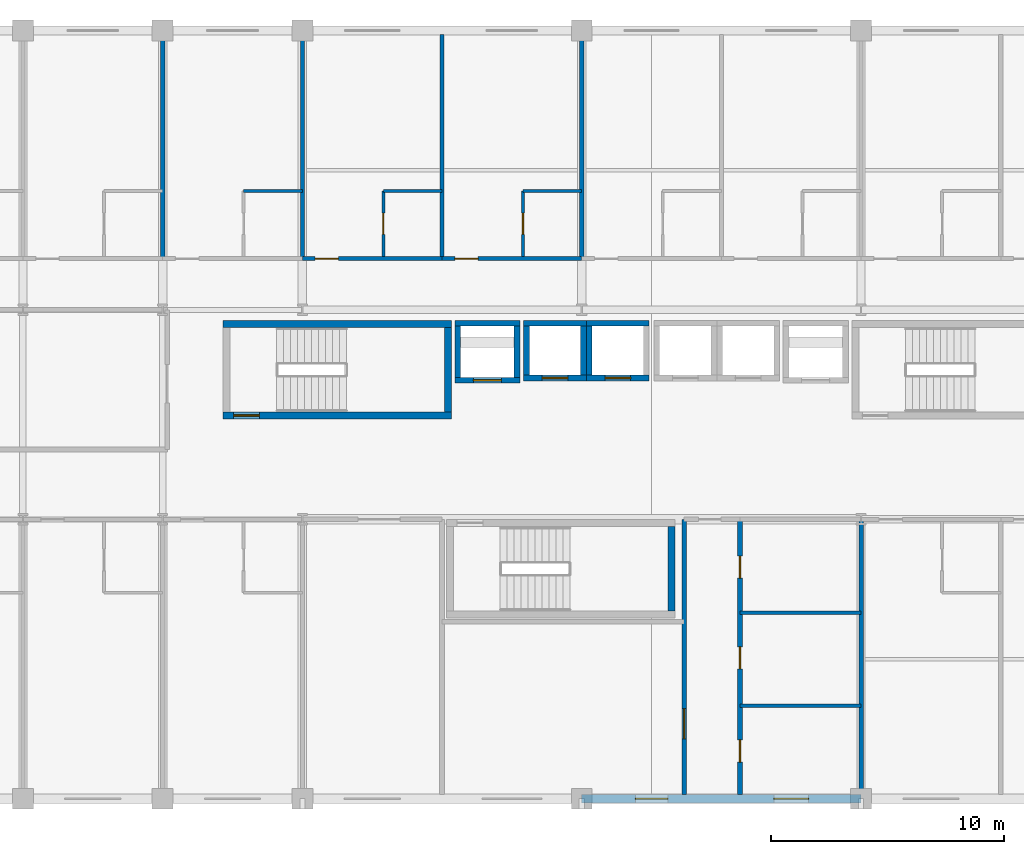
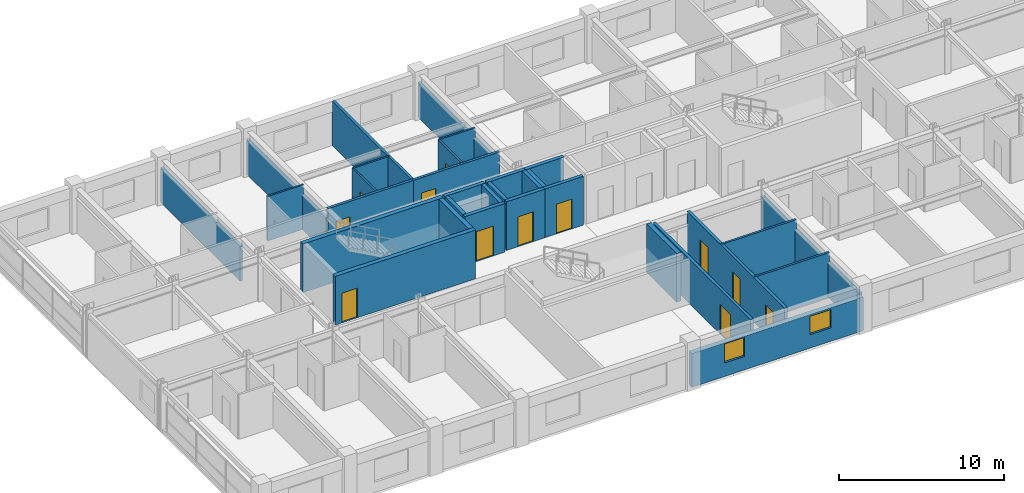
# One storey, part 17 of 22: 32 walls, 12 doors, 2 windows, 14 openings.
"""IFC4 building model written with IfcOpenShell, lengths in metres."""

from ifc_helpers import new_model, si_unit, direction, frame, frame_2d, origin, place, context, subcontext, project, spatial, rectangle, extrude, material, layer, layer_set, type_object, element, fill, save


model = new_model("IFC4")

# Units and contexts
model_context = context("Model", 3, precision=1e-05, world=origin(), true_north=direction((0.0, 1.0)))
body_context = subcontext(model_context, "Body", "Model", "MODEL_VIEW")
ifc_project = project(units=[si_unit("LENGTHUNIT", "METRE"), si_unit("AREAUNIT", "SQUARE_METRE"), si_unit("VOLUMEUNIT", "CUBIC_METRE"), si_unit("PLANEANGLEUNIT", "RADIAN"), si_unit("MASSUNIT", "GRAM", prefix="KILO")], contexts=[model_context])

# Site, building, storey
site_placement = place(None, origin())
site = spatial("IfcSite", under=ifc_project, at=site_placement, CompositionType="ELEMENT")
building_placement = place(site_placement, origin())
building = spatial("IfcBuilding", under=site, at=building_placement, Name="Kaldorvane Square Convention Centre", CompositionType="ELEMENT")
storey_placement = place(building_placement, frame((0.0, 0.0, 34.80000305175781)))
storey = spatial("IfcBuildingStorey", under=building, at=storey_placement, Name="L07", CompositionType="ELEMENT", Elevation=34.80000305175781)

# Wall
ifc_material_1 = material(Name="Fire-Rated Gypsum Board on Acoustic Steel Studs", Category="steel")
ifc_layer_1 = layer(ifc_material_1, 0.125)
ifc_layer_set_1 = layer_set([ifc_layer_1], Name="Fire-Rated Gypsum Board on Acoustic Steel Studs")
wall_type_1 = type_object("IfcWallType", Name="WL-BATH-125", PredefinedType="PARTITIONING", material=ifc_layer_set_1)
wall_1_placement = place(storey_placement, frame((39.47999572753906, 110.10000610351562, 0.0), z_axis=(0.0, 0.0, 1.0), x_axis=(1.0, 0.0, 0.0)))
element("IfcWall", 1, at=wall_1_placement, inside=storey, type_object=wall_type_1, Name="En-Suite 703 North Wall", PredefinedType="PARTITIONING", context=body_context, shape_type="SweptSolid", body=[
    extrude(rectangle(XDim=2.5200042724609375, YDim=0.125, at=frame_2d((1.260009765625, 0.0))), origin(), (0.0, 0.0, 1.0), 3.2899932861328125),
])

# Wall, opening, door
wall_2_placement = place(storey_placement, frame((45.47999572753906, 107.28999328613281, 0.0), z_axis=(0.0, 0.0, 1.0), x_axis=(0.0, 1.0, 0.0)))
wall_2 = element("IfcWall", 2, at=wall_2_placement, inside=storey, type_object=wall_type_1, Name="En-Suite 704 West Wall", PredefinedType="PARTITIONING", context=body_context, shape_type="SweptSolid", body=[
    extrude(rectangle(XDim=2.8100128173828125, YDim=0.125, at=frame_2d((1.404998779296875, 0.0))), origin(), (0.0, 0.0, 1.0), 3.2899932861328125),
])
opening_1_placement = place(wall_2_placement, frame((0.9499969482421875, 0.0, 0.0)))
opening_1 = element("IfcOpeningElement", 3, at=opening_1_placement, cuts=wall_2, Name="Opening ID-12", PredefinedType="OPENING", context=body_context, shape_type="SweptSolid", body=[
    extrude(rectangle(XDim=0.9199981689453125, YDim=2.100006103515625, at=frame_2d((0.459991455078125, 1.0500030517578125))), frame((0.0, 0.0774993896484375, 0.0), z_axis=(0.0, -1.0, 0.0), x_axis=(1.0, 0.0, 0.0)), (0.0, 0.0, 1.0), 0.154998779296875),
])
ifc_material_2 = material(Name="Architectural Solid-Core White Oak")
door_type_1 = type_object("IfcDoorType", Name="DR-BATH-0920X2100", OperationType="SINGLE_SWING_RIGHT", PredefinedType="DOOR", material=ifc_material_2)
door_1_placement = place(opening_1_placement, origin())
door_1 = element("IfcDoor", 4, at=door_1_placement, inside=storey, type_object=door_type_1, Name="En-Suite Bathroom 704 Door", OperationType="SINGLE_SWING_RIGHT", OverallHeight=2.100006103515625, OverallWidth=0.9199981689453125, PredefinedType="DOOR", context=body_context, shape_type="SweptSolid", body=[
    extrude(rectangle(XDim=0.9199981689453125, YDim=2.100006103515625, at=frame_2d((0.459991455078125, 1.0500030517578125))), frame((0.0, 0.024993896484375, 0.0), z_axis=(0.0, -1.0, 0.0), x_axis=(1.0, 0.0, 0.0)), (0.0, 0.0, 1.0), 0.0500030517578125),
])
fill(opening_1, door_1)

# Wall
wall_3_placement = place(storey_placement, frame((45.47999572753906, 110.10000610351562, 0.0), z_axis=(0.0, 0.0, 1.0), x_axis=(1.0, 0.0, 0.0)))
element("IfcWall", 5, at=wall_3_placement, inside=storey, type_object=wall_type_1, Name="En-Suite 704 North Wall", PredefinedType="PARTITIONING", context=body_context, shape_type="SweptSolid", body=[
    extrude(rectangle(XDim=2.5200042724609375, YDim=0.125, at=frame_2d((1.260009765625, 0.0))), origin(), (0.0, 0.0, 1.0), 3.2899932861328125),
])

# Wall, opening, door
wall_4_placement = place(storey_placement, frame((51.47999572753906, 107.28999328613281, 0.0), z_axis=(0.0, 0.0, 1.0), x_axis=(0.0, 1.0, 0.0)))
wall_4 = element("IfcWall", 6, at=wall_4_placement, inside=storey, type_object=wall_type_1, Name="En-Suite 705 West Wall", PredefinedType="PARTITIONING", context=body_context, shape_type="SweptSolid", body=[
    extrude(rectangle(XDim=2.8100128173828125, YDim=0.125, at=frame_2d((1.404998779296875, 0.0))), origin(), (0.0, 0.0, 1.0), 3.2899932861328125),
])
opening_2_placement = place(wall_4_placement, frame((0.9499969482421875, 0.0, 0.0)))
opening_2 = element("IfcOpeningElement", 7, at=opening_2_placement, cuts=wall_4, Name="Opening ID-12", PredefinedType="OPENING", context=body_context, shape_type="SweptSolid", body=[
    extrude(rectangle(XDim=0.9199981689453125, YDim=2.100006103515625, at=frame_2d((0.459991455078125, 1.0500030517578125))), frame((0.0, 0.0774993896484375, 0.0), z_axis=(0.0, -1.0, 0.0), x_axis=(1.0, 0.0, 0.0)), (0.0, 0.0, 1.0), 0.154998779296875),
])
door_2_placement = place(opening_2_placement, origin())
door_2 = element("IfcDoor", 8, at=door_2_placement, inside=storey, type_object=door_type_1, Name="En-Suite Bathroom 705 Door", OperationType="SINGLE_SWING_RIGHT", OverallHeight=2.100006103515625, OverallWidth=0.9199981689453125, PredefinedType="DOOR", context=body_context, shape_type="SweptSolid", body=[
    extrude(rectangle(XDim=0.9199981689453125, YDim=2.100006103515625, at=frame_2d((0.459991455078125, 1.0500030517578125))), frame((0.0, 0.024993896484375, 0.0), z_axis=(0.0, -1.0, 0.0), x_axis=(1.0, 0.0, 0.0)), (0.0, 0.0, 1.0), 0.0500030517578125),
])
fill(opening_2, door_2)

# Wall
wall_5_placement = place(storey_placement, frame((51.47999572753906, 110.10000610351562, 0.0), z_axis=(0.0, 0.0, 1.0), x_axis=(1.0, 0.0, 0.0)))
element("IfcWall", 9, at=wall_5_placement, inside=storey, type_object=wall_type_1, Name="En-Suite 705 North Wall", PredefinedType="PARTITIONING", context=body_context, shape_type="SweptSolid", body=[
    extrude(rectangle(XDim=2.5200042724609375, YDim=0.125, at=frame_2d((1.260009765625, 0.0))), origin(), (0.0, 0.0, 1.0), 3.2899932861328125),
])

# Wall, opening, door
ifc_layer_2 = layer(ifc_material_1, 0.1999969482421875)
ifc_layer_set_2 = layer_set([ifc_layer_2], Name="Fire-Rated Gypsum Board on Acoustic Steel Studs")
wall_type_2 = type_object("IfcWallType", Name="WL-CORR-200", PredefinedType="PARTITIONING", material=ifc_layer_set_2)
wall_6_placement = place(storey_placement, frame((58.399993896484375, 84.17500305175781, 0.0), z_axis=(0.0, 0.0, 1.0), x_axis=(0.0, 1.0, 0.0)))
wall_6 = element("IfcWall", 10, at=wall_6_placement, inside=storey, type_object=wall_type_2, Name="Restroom Vestibule West Wall (L07)", PredefinedType="PARTITIONING", context=body_context, shape_type="SweptSolid", body=[
    extrude(rectangle(XDim=11.824996948242188, YDim=0.1999969482421875, at=frame_2d((5.912506103515625, 0.0))), origin(), (0.0, 0.0, 1.0), 3.2899932861328125),
])
opening_3_placement = place(wall_6_placement, frame((2.399993896484375, 0.0, 0.0)))
opening_3 = element("IfcOpeningElement", 11, at=opening_3_placement, cuts=wall_6, Name="Opening ID-09", PredefinedType="OPENING", context=body_context, shape_type="SweptSolid", body=[
    extrude(rectangle(XDim=1.3000030517578125, YDim=2.1999969482421875, at=frame_2d((0.649993896484375, 1.100006103515625))), frame((0.0, 0.114990234375, 0.0), z_axis=(0.0, -1.0, 0.0), x_axis=(1.0, 0.0, 0.0)), (0.0, 0.0, 1.0), 0.2299957275390625),
])
ifc_material_3 = material(Name="Insulated Hollow Metal Steel", Category="steel")
door_type_2 = type_object("IfcDoorType", Name="DR-SVC-1300X2200", OperationType="DOUBLE_DOOR_SINGLE_SWING", PredefinedType="DOOR", material=ifc_material_3)
door_3_placement = place(opening_3_placement, origin())
door_3 = element("IfcDoor", 12, at=door_3_placement, inside=storey, type_object=door_type_2, Name="Housekeeping and Linen Room (L07) Door", OperationType="DOUBLE_DOOR_SINGLE_SWING", OverallHeight=2.1999969482421875, OverallWidth=1.3000030517578125, PredefinedType="DOOR", context=body_context, shape_type="SweptSolid", body=[
    extrude(rectangle(XDim=1.3000030517578125, YDim=2.1999969482421875, at=frame_2d((0.649993896484375, 1.100006103515625))), frame((0.0, 0.024993896484375, 0.0), z_axis=(0.0, -1.0, 0.0), x_axis=(1.0, 0.0, 0.0)), (0.0, 0.0, 1.0), 0.0500030517578125),
])
fill(opening_3, door_3)

# Wall, openings, doors
wall_7_placement = place(storey_placement, frame((60.80000305175781, 84.17500305175781, 0.0), z_axis=(0.0, 0.0, 1.0), x_axis=(0.0, 1.0, 0.0)))
wall_7 = element("IfcWall", 13, at=wall_7_placement, inside=storey, type_object=wall_type_2, Name="Restroom Vestibule East Wall (L07)", PredefinedType="PARTITIONING", context=body_context, shape_type="SweptSolid", body=[
    extrude(rectangle(XDim=11.824996948242188, YDim=0.1999969482421875, at=frame_2d((5.912506103515625, 0.0))), origin(), (0.0, 0.0, 1.0), 3.2899932861328125),
])
opening_4_placement = place(wall_7_placement, frame((1.399993896484375, 0.0, 0.0)))
opening_4 = element("IfcOpeningElement", 14, at=opening_4_placement, cuts=wall_7, Name="Opening ID-13", PredefinedType="OPENING", context=body_context, shape_type="SweptSolid", body=[
    extrude(rectangle(XDim=0.9499969482421875, YDim=2.149993896484375, at=frame_2d((0.475006103515625, 1.0749969482421875))), frame((0.0, 0.114990234375, 0.0), z_axis=(0.0, -1.0, 0.0), x_axis=(1.0, 0.0, 0.0)), (0.0, 0.0, 1.0), 0.2299957275390625),
])
opening_5_placement = place(wall_7_placement, frame((5.399993896484375, 0.0, 0.0)))
opening_5 = element("IfcOpeningElement", 15, at=opening_5_placement, cuts=wall_7, Name="Opening ID-13", PredefinedType="OPENING", context=body_context, shape_type="SweptSolid", body=[
    extrude(rectangle(XDim=0.9499969482421875, YDim=2.149993896484375, at=frame_2d((0.475006103515625, 1.0749969482421875))), frame((0.0, 0.114990234375, 0.0), z_axis=(0.0, -1.0, 0.0), x_axis=(1.0, 0.0, 0.0)), (0.0, 0.0, 1.0), 0.2299957275390625),
])
opening_6_placement = place(wall_7_placement, frame((9.300003051757812, 0.0, 0.0)))
opening_6 = element("IfcOpeningElement", 16, at=opening_6_placement, cuts=wall_7, Name="Opening ID-13", PredefinedType="OPENING", context=body_context, shape_type="SweptSolid", body=[
    extrude(rectangle(XDim=0.9499969482421875, YDim=2.149993896484375, at=frame_2d((0.475006103515625, 1.0749969482421875))), frame((0.0, 0.114990234375, 0.0), z_axis=(0.0, -1.0, 0.0), x_axis=(1.0, 0.0, 0.0)), (0.0, 0.0, 1.0), 0.2299957275390625),
])
door_type_3 = type_object("IfcDoorType", Name="DR-WC-0950X2150", OperationType="SINGLE_SWING_LEFT", PredefinedType="DOOR", material=ifc_material_2)
door_4_placement = place(opening_4_placement, origin())
door_4 = element("IfcDoor", 17, at=door_4_placement, inside=storey, type_object=door_type_3, Name="Accessible Restroom Door (L07)", OperationType="SINGLE_SWING_LEFT", OverallHeight=2.149993896484375, OverallWidth=0.9499969482421875, PredefinedType="DOOR", context=body_context, shape_type="SweptSolid", body=[
    extrude(rectangle(XDim=0.9499969482421875, YDim=2.149993896484375, at=frame_2d((0.475006103515625, 1.0749969482421875))), frame((0.0, 0.024993896484375, 0.0), z_axis=(0.0, -1.0, 0.0), x_axis=(1.0, 0.0, 0.0)), (0.0, 0.0, 1.0), 0.0500030517578125),
])
fill(opening_4, door_4)
door_5_placement = place(opening_5_placement, origin())
door_5 = element("IfcDoor", 18, at=door_5_placement, inside=storey, type_object=door_type_3, Name="Men's Restroom Door (L07)", OperationType="SINGLE_SWING_LEFT", OverallHeight=2.149993896484375, OverallWidth=0.9499969482421875, PredefinedType="DOOR", context=body_context, shape_type="SweptSolid", body=[
    extrude(rectangle(XDim=0.9499969482421875, YDim=2.149993896484375, at=frame_2d((0.475006103515625, 1.0749969482421875))), frame((0.0, 0.024993896484375, 0.0), z_axis=(0.0, -1.0, 0.0), x_axis=(1.0, 0.0, 0.0)), (0.0, 0.0, 1.0), 0.0500030517578125),
])
fill(opening_5, door_5)
door_6_placement = place(opening_6_placement, origin())
door_6 = element("IfcDoor", 19, at=door_6_placement, inside=storey, type_object=door_type_3, Name="Women's Restroom Door (L07)", OperationType="SINGLE_SWING_LEFT", OverallHeight=2.149993896484375, OverallWidth=0.9499969482421875, PredefinedType="DOOR", context=body_context, shape_type="SweptSolid", body=[
    extrude(rectangle(XDim=0.9499969482421875, YDim=2.149993896484375, at=frame_2d((0.475006103515625, 1.0749969482421875))), frame((0.0, 0.024993896484375, 0.0), z_axis=(0.0, -1.0, 0.0), x_axis=(1.0, 0.0, 0.0)), (0.0, 0.0, 1.0), 0.0500030517578125),
])
fill(opening_6, door_6)

# Wall
wall_8_placement = place(storey_placement, frame((66.0, 84.17500305175781, 0.0), z_axis=(0.0, 0.0, 1.0), x_axis=(0.0, 1.0, 0.0)))
element("IfcWall", 20, at=wall_8_placement, inside=storey, type_object=wall_type_2, Name="Restroom East Wall (L07)", PredefinedType="PARTITIONING", context=body_context, shape_type="SweptSolid", body=[
    extrude(rectangle(XDim=11.824996948242188, YDim=0.1999969482421875, at=frame_2d((5.912506103515625, 0.0))), origin(), (0.0, 0.0, 1.0), 2.589996337890625),
])

# Wall, openings, windows
ifc_material_4 = material(Name="Concrete f'c = 42 MPa (Normalweight)", Category="concrete")
ifc_layer_3 = layer(ifc_material_4, 0.350006103515625)
ifc_layer_set_3 = layer_set([ifc_layer_3], Name="Concrete f'c = 42 MPa (Normalweight)")
wall_type_3 = type_object("IfcWallType", Name="WL-EXT-350", PredefinedType="STANDARD", material=ifc_layer_set_3)
wall_9_placement = place(storey_placement, frame((54.0, 84.0, 0.0), z_axis=(0.0, 0.0, 1.0), x_axis=(1.0, 0.0, 0.0)))
wall_9 = element("IfcWall", 21, at=wall_9_placement, inside=storey, type_object=wall_type_3, Name="Hotel S Brutalist Facade Wall (L07)", PredefinedType="STANDARD", context=body_context, shape_type="SweptSolid", body=[
    extrude(rectangle(XDim=12.0, YDim=0.350006103515625, at=frame_2d((6.0, 0.0))), origin(), (0.0, 0.0, 1.0), 2.485992431640625),
])
opening_7_placement = place(wall_9_placement, frame((2.3000030517578125, 0.0, 1.0)))
opening_7 = element("IfcOpeningElement", 22, at=opening_7_placement, cuts=wall_9, Name="Opening W-13", PredefinedType="OPENING", context=body_context, shape_type="SweptSolid", body=[
    extrude(rectangle(XDim=1.399993896484375, YDim=1.399993896484375, at=frame_2d((0.6999969482421875, 0.6999969482421875))), frame((0.0, 0.19000244140625, 0.0), z_axis=(0.0, -1.0, 0.0), x_axis=(1.0, 0.0, 0.0)), (0.0, 0.0, 1.0), 0.3800048828125),
])
opening_8_placement = place(wall_9_placement, frame((8.25, 0.0, 1.0)))
opening_8 = element("IfcOpeningElement", 23, at=opening_8_placement, cuts=wall_9, Name="Opening W-14", PredefinedType="OPENING", context=body_context, shape_type="SweptSolid", body=[
    extrude(rectangle(XDim=1.5, YDim=1.350006103515625, at=frame_2d((0.75, 0.6750030517578125))), frame((0.0, 0.19000244140625, 0.0), z_axis=(0.0, -1.0, 0.0), x_axis=(1.0, 0.0, 0.0)), (0.0, 0.0, 1.0), 0.3800048828125),
])
ifc_material_5 = material(Name="Anodized Aluminum and Low-E Insulated Glazing", Category="aluminium")
window_type_1 = type_object("IfcWindowType", Name="WN-HTL-1400X1400", PartitioningType="SINGLE_PANEL", PredefinedType="WINDOW", material=ifc_material_5)
window_1_placement = place(opening_7_placement, origin())
window_1 = element("IfcWindow", 24, at=window_1_placement, inside=storey, type_object=window_type_1, Name="Hotel S Window (L07)", OverallHeight=1.399993896484375, OverallWidth=1.399993896484375, PartitioningType="SINGLE_PANEL", PredefinedType="WINDOW", context=body_context, shape_type="SweptSolid", body=[
    extrude(rectangle(XDim=1.399993896484375, YDim=1.399993896484375, at=frame_2d((0.6999969482421875, 0.6999969482421875))), frame((0.0, 0.029998779296875, 0.0), z_axis=(0.0, -1.0, 0.0), x_axis=(1.0, 0.0, 0.0)), (0.0, 0.0, 1.0), 0.05999755859375),
])
fill(opening_7, window_1)
window_type_2 = type_object("IfcWindowType", Name="WN-HTL-1500X1350", PartitioningType="SINGLE_PANEL", PredefinedType="WINDOW", material=ifc_material_5)
window_2_placement = place(opening_8_placement, origin())
window_2 = element("IfcWindow", 25, at=window_2_placement, inside=storey, type_object=window_type_2, Name="Hotel S Window (L07)", OverallHeight=1.350006103515625, OverallWidth=1.5, PartitioningType="SINGLE_PANEL", PredefinedType="WINDOW", context=body_context, shape_type="SweptSolid", body=[
    extrude(rectangle(XDim=1.5, YDim=1.350006103515625, at=frame_2d((0.75, 0.6750030517578125))), frame((0.0, 0.029998779296875, 0.0), z_axis=(0.0, -1.0, 0.0), x_axis=(1.0, 0.0, 0.0)), (0.0, 0.0, 1.0), 0.05999755859375),
])
fill(opening_8, window_2)

# Walls
ifc_layer_4 = layer(ifc_material_1, 0.149993896484375)
ifc_layer_set_4 = layer_set([ifc_layer_4], Name="Fire-Rated Gypsum Board on Acoustic Steel Studs")
wall_type_4 = type_object("IfcWallType", Name="WL-PART-150", PredefinedType="PARTITIONING", material=ifc_layer_set_4)
for number, where, z_axis, x_axis, name in (
    (26, (60.80000305175781, 88.0, 0.0), (0.0, 0.0, 1.0), (1.0, 0.0, 0.0), "Restroom Partition 1 (L07)"),
    (27, (60.80000305175781, 92.0, 0.0), (0.0, 0.0, 1.0), (1.0, 0.0, 0.0), "Restroom Partition 2 (L07)"),
):
    element("IfcWall", number, at=place(storey_placement, frame(where, z_axis=z_axis, x_axis=x_axis)), inside=storey, type_object=wall_type_4, Name=name, PredefinedType="PARTITIONING", context=body_context, shape_type="SweptSolid", body=[
        extrude(rectangle(XDim=5.1999969482421875, YDim=0.149993896484375, at=frame_2d((2.600006103515625, 0.0))), origin(), (0.0, 0.0, 1.0), 3.2899932861328125),
    ])

# Wall, opening, door
ifc_material_6 = material(Name="Concrete f'c = 55 MPa (Normalweight)", Category="concrete")
ifc_layer_5 = layer(ifc_material_6, 0.3000030517578125)
ifc_layer_set_5 = layer_set([ifc_layer_5], Name="Concrete f'c = 55 MPa (Normalweight)")
wall_type_5 = type_object("IfcWallType", Name="WL-SHAFT-300", PredefinedType="SHEAR", material=ifc_layer_set_5)
wall_10_placement = place(storey_placement, frame((38.600006103515625, 100.46000671386719, 0.0), z_axis=(0.0, 0.0, 1.0), x_axis=(1.0, 0.0, 0.0)))
wall_10 = element("IfcWall", 28, at=wall_10_placement, inside=storey, type_object=wall_type_5, Name="Core Enclosure Wall stair:ST-T1-S (L07)", PredefinedType="SHEAR", context=body_context, shape_type="SweptSolid", body=[
    extrude(rectangle(XDim=9.79998779296875, YDim=0.3000030517578125, at=frame_2d((4.899993896484375, 0.0))), origin(), (0.0, 0.0, 1.0), 3.5999908447265625),
])
opening_9_placement = place(wall_10_placement, frame((0.4499969482421875, 0.0, 0.0)))
opening_9 = element("IfcOpeningElement", 29, at=opening_9_placement, cuts=wall_10, Name="Opening FD90-S1", PredefinedType="OPENING", context=body_context, shape_type="SweptSolid", body=[
    extrude(rectangle(XDim=1.100006103515625, YDim=2.1999969482421875, at=frame_2d((0.5500030517578125, 1.100006103515625))), frame((0.0, 0.165008544921875, 0.0), z_axis=(0.0, -1.0, 0.0), x_axis=(1.0, 0.0, 0.0)), (0.0, 0.0, 1.0), 0.3300018310546875),
])
ifc_material_7 = material(Name="Fire-Rated Hollow Metal Steel", Category="steel")
door_type_4 = type_object("IfcDoorType", Name="DR-STAIR-1100", OperationType="SINGLE_SWING_RIGHT", PredefinedType="DOOR", material=ifc_material_7)
door_7_placement = place(opening_9_placement, origin())
door_7 = element("IfcDoor", 30, at=door_7_placement, inside=storey, type_object=door_type_4, Name="Tower Exit Stair T1 Fire Door (L07)", OperationType="SINGLE_SWING_RIGHT", OverallHeight=2.1999969482421875, OverallWidth=1.100006103515625, PredefinedType="DOOR", context=body_context, shape_type="SweptSolid", body=[
    extrude(rectangle(XDim=1.100006103515625, YDim=2.1999969482421875, at=frame_2d((0.5500030517578125, 1.100006103515625))), frame((0.0, 0.024993896484375, 0.0), z_axis=(0.0, -1.0, 0.0), x_axis=(1.0, 0.0, 0.0)), (0.0, 0.0, 1.0), 0.0500030517578125),
])
fill(opening_9, door_7)

# Walls
wall_11_placement = place(storey_placement, frame((48.399993896484375, 104.39999389648438, 0.0), z_axis=(0.0, 0.0, 1.0), x_axis=(-1.0, 0.0, 0.0)))
element("IfcWall", 31, at=wall_11_placement, inside=storey, type_object=wall_type_5, Name="Core Enclosure Wall stair:ST-T1-N (L07)", PredefinedType="SHEAR", context=body_context, shape_type="SweptSolid", body=[
    extrude(rectangle(XDim=9.79998779296875, YDim=0.3000030517578125, at=frame_2d((4.899993896484375, 0.0))), origin(), (0.0, 0.0, 1.0), 3.5999908447265625),
])
for number, where, z_axis, x_axis, name in (
    (32, (48.25, 100.61000061035156, 0.0), (0.0, 0.0, 1.0), (0.0, 1.0, 0.0), "Core Enclosure Wall stair:ST-T1-E (L07)"),
    (33, (57.850006103515625, 92.05999755859375, 0.0), (0.0, 0.0, 1.0), (0.0, 1.0, 0.0), "Core Enclosure Wall stair:ST-T3-E (L07)"),
):
    element("IfcWall", number, at=place(storey_placement, frame(where, z_axis=z_axis, x_axis=x_axis)), inside=storey, type_object=wall_type_5, Name=name, PredefinedType="SHEAR", context=body_context, shape_type="SweptSolid", body=[
        extrude(rectangle(XDim=3.6399993896484375, YDim=0.3000030517578125, at=frame_2d((1.82000732421875, 0.0))), origin(), (0.0, 0.0, 1.0), 3.5999908447265625),
    ])

# Wall, opening, door
wall_12_placement = place(storey_placement, frame((48.55000305175781, 101.97500610351562, 0.0), z_axis=(0.0, 0.0, 1.0), x_axis=(1.0, 0.0, 0.0)))
wall_12 = element("IfcWall", 34, at=wall_12_placement, inside=storey, type_object=wall_type_5, Name="Core Enclosure Wall lift:FSAE-01-S (L07)", PredefinedType="SHEAR", context=body_context, shape_type="SweptSolid", body=[
    extrude(rectangle(XDim=2.8000030517578125, YDim=0.25, at=frame_2d((1.399993896484375, 0.0))), origin(), (0.0, 0.0, 1.0), 3.5999908447265625),
])
opening_10_placement = place(wall_12_placement, frame((0.8000030517578125, 0.0, 0.0)))
opening_10 = element("IfcOpeningElement", 35, at=opening_10_placement, cuts=wall_12, Name="Opening LD-02", PredefinedType="OPENING", context=body_context, shape_type="SweptSolid", body=[
    extrude(rectangle(XDim=1.1999969482421875, YDim=2.1999969482421875, at=frame_2d((0.600006103515625, 1.100006103515625))), frame((0.0, 0.1399993896484375, 0.0), z_axis=(0.0, -1.0, 0.0), x_axis=(1.0, 0.0, 0.0)), (0.0, 0.0, 1.0), 0.279998779296875),
])
ifc_material_8 = material(Name="Stainless Steel Elevator Door Assembly", Category="steel")
door_type_5 = type_object("IfcDoorType", Name="DR-LIFT-1200", OperationType="DOUBLE_DOOR_SLIDING", PredefinedType="DOOR", material=ifc_material_8)
door_8_placement = place(opening_10_placement, origin())
door_8 = element("IfcDoor", 36, at=door_8_placement, inside=storey, type_object=door_type_5, Name="Elevator Landing Door FSAE-01 (L07)", OperationType="DOUBLE_DOOR_SLIDING", OverallHeight=2.1999969482421875, OverallWidth=1.1999969482421875, PredefinedType="DOOR", context=body_context, shape_type="SweptSolid", body=[
    extrude(rectangle(XDim=1.1999969482421875, YDim=2.1999969482421875, at=frame_2d((0.600006103515625, 1.100006103515625))), frame((0.0, 0.024993896484375, 0.0), z_axis=(0.0, -1.0, 0.0), x_axis=(1.0, 0.0, 0.0)), (0.0, 0.0, 1.0), 0.0500030517578125),
])
fill(opening_10, door_8)

# Walls
wall_13_placement = place(storey_placement, frame((51.350006103515625, 104.42500305175781, 0.0), z_axis=(0.0, 0.0, 1.0), x_axis=(-1.0, 0.0, 0.0)))
element("IfcWall", 37, at=wall_13_placement, inside=storey, type_object=wall_type_5, Name="Core Enclosure Wall lift:FSAE-01-N (L07)", PredefinedType="SHEAR", context=body_context, shape_type="SweptSolid", body=[
    extrude(rectangle(XDim=2.8000030517578125, YDim=0.25, at=frame_2d((1.399993896484375, 0.0))), origin(), (0.0, 0.0, 1.0), 3.5999908447265625),
])
for number, where, z_axis, x_axis, name in (
    (38, (48.67500305175781, 104.30000305175781, 0.0), (0.0, 0.0, 1.0), (0.0, -1.0, 0.0), "Core Enclosure Wall lift:FSAE-01-W (L07)"),
    (39, (51.225006103515625, 102.10000610351562, 0.0), (0.0, 0.0, 1.0), (0.0, 1.0, 0.0), "Core Enclosure Wall lift:FSAE-01-E (L07)"),
):
    element("IfcWall", number, at=place(storey_placement, frame(where, z_axis=z_axis, x_axis=x_axis)), inside=storey, type_object=wall_type_5, Name=name, PredefinedType="SHEAR", context=body_context, shape_type="SweptSolid", body=[
        extrude(rectangle(XDim=2.1999969482421875, YDim=0.25, at=frame_2d((1.100006103515625, 0.0))), origin(), (0.0, 0.0, 1.0), 3.5999908447265625),
    ])

# Wall, opening, door
wall_14_placement = place(storey_placement, frame((51.5, 102.07499694824219, 0.0), z_axis=(0.0, 0.0, 1.0), x_axis=(1.0, 0.0, 0.0)))
wall_14 = element("IfcWall", 40, at=wall_14_placement, inside=storey, type_object=wall_type_5, Name="Core Enclosure Wall lift:EL-P1-S (L07)", PredefinedType="SHEAR", context=body_context, shape_type="SweptSolid", body=[
    extrude(rectangle(XDim=2.6999969482421875, YDim=0.25, at=frame_2d((1.350006103515625, 0.0))), origin(), (0.0, 0.0, 1.0), 3.5999908447265625),
])
opening_11_placement = place(wall_14_placement, frame((0.8000030517578125, 0.0, 0.0)))
opening_11 = element("IfcOpeningElement", 41, at=opening_11_placement, cuts=wall_14, Name="Opening LD-01", PredefinedType="OPENING", context=body_context, shape_type="SweptSolid", body=[
    extrude(rectangle(XDim=1.100006103515625, YDim=2.1999969482421875, at=frame_2d((0.5500030517578125, 1.100006103515625))), frame((0.0, 0.1399993896484375, 0.0), z_axis=(0.0, -1.0, 0.0), x_axis=(1.0, 0.0, 0.0)), (0.0, 0.0, 1.0), 0.279998779296875),
])
door_type_6 = type_object("IfcDoorType", Name="DR-LIFT-1100", OperationType="DOUBLE_DOOR_SLIDING", PredefinedType="DOOR", material=ifc_material_8)
door_9_placement = place(opening_11_placement, origin())
door_9 = element("IfcDoor", 42, at=door_9_placement, inside=storey, type_object=door_type_6, Name="Elevator Landing Door EL-P1 (L07)", OperationType="DOUBLE_DOOR_SLIDING", OverallHeight=2.1999969482421875, OverallWidth=1.100006103515625, PredefinedType="DOOR", context=body_context, shape_type="SweptSolid", body=[
    extrude(rectangle(XDim=1.100006103515625, YDim=2.1999969482421875, at=frame_2d((0.5500030517578125, 1.100006103515625))), frame((0.0, 0.024993896484375, 0.0), z_axis=(0.0, -1.0, 0.0), x_axis=(1.0, 0.0, 0.0)), (0.0, 0.0, 1.0), 0.0500030517578125),
])
fill(opening_11, door_9)

# Walls
wall_15_placement = place(storey_placement, frame((54.19999694824219, 104.42500305175781, 0.0), z_axis=(0.0, 0.0, 1.0), x_axis=(-1.0, 0.0, 0.0)))
element("IfcWall", 43, at=wall_15_placement, inside=storey, type_object=wall_type_5, Name="Core Enclosure Wall lift:EL-P1-N (L07)", PredefinedType="SHEAR", context=body_context, shape_type="SweptSolid", body=[
    extrude(rectangle(XDim=2.6999969482421875, YDim=0.25, at=frame_2d((1.350006103515625, 0.0))), origin(), (0.0, 0.0, 1.0), 3.5999908447265625),
])
for number, where, z_axis, x_axis, name in (
    (44, (51.625, 104.30000305175781, 0.0), (0.0, 0.0, 1.0), (0.0, -1.0, 0.0), "Core Enclosure Wall lift:EL-P1-W (L07)"),
    (45, (54.07499694824219, 102.19999694824219, 0.0), (0.0, 0.0, 1.0), (0.0, 1.0, 0.0), "Core Enclosure Wall lift:EL-P1-E (L07)"),
):
    element("IfcWall", number, at=place(storey_placement, frame(where, z_axis=z_axis, x_axis=x_axis)), inside=storey, type_object=wall_type_5, Name=name, PredefinedType="SHEAR", context=body_context, shape_type="SweptSolid", body=[
        extrude(rectangle(XDim=2.100006103515625, YDim=0.25, at=frame_2d((1.0500030517578125, 0.0))), origin(), (0.0, 0.0, 1.0), 3.5999908447265625),
    ])

# Wall, opening, door
wall_16_placement = place(storey_placement, frame((54.19999694824219, 102.07499694824219, 0.0), z_axis=(0.0, 0.0, 1.0), x_axis=(1.0, 0.0, 0.0)))
wall_16 = element("IfcWall", 46, at=wall_16_placement, inside=storey, type_object=wall_type_5, Name="Core Enclosure Wall lift:EL-P2-S (L07)", PredefinedType="SHEAR", context=body_context, shape_type="SweptSolid", body=[
    extrude(rectangle(XDim=2.6999969482421875, YDim=0.25, at=frame_2d((1.350006103515625, 0.0))), origin(), (0.0, 0.0, 1.0), 3.5999908447265625),
])
opening_12_placement = place(wall_16_placement, frame((0.8000030517578125, 0.0, 0.0)))
opening_12 = element("IfcOpeningElement", 47, at=opening_12_placement, cuts=wall_16, Name="Opening LD-01", PredefinedType="OPENING", context=body_context, shape_type="SweptSolid", body=[
    extrude(rectangle(XDim=1.100006103515625, YDim=2.1999969482421875, at=frame_2d((0.5500030517578125, 1.100006103515625))), frame((0.0, 0.1399993896484375, 0.0), z_axis=(0.0, -1.0, 0.0), x_axis=(1.0, 0.0, 0.0)), (0.0, 0.0, 1.0), 0.279998779296875),
])
door_10_placement = place(opening_12_placement, origin())
door_10 = element("IfcDoor", 48, at=door_10_placement, inside=storey, type_object=door_type_6, Name="Elevator Landing Door EL-P2 (L07)", OperationType="DOUBLE_DOOR_SLIDING", OverallHeight=2.1999969482421875, OverallWidth=1.100006103515625, PredefinedType="DOOR", context=body_context, shape_type="SweptSolid", body=[
    extrude(rectangle(XDim=1.100006103515625, YDim=2.1999969482421875, at=frame_2d((0.5500030517578125, 1.100006103515625))), frame((0.0, 0.024993896484375, 0.0), z_axis=(0.0, -1.0, 0.0), x_axis=(1.0, 0.0, 0.0)), (0.0, 0.0, 1.0), 0.0500030517578125),
])
fill(opening_12, door_10)

# Walls
wall_17_placement = place(storey_placement, frame((56.899993896484375, 104.42500305175781, 0.0), z_axis=(0.0, 0.0, 1.0), x_axis=(-1.0, 0.0, 0.0)))
element("IfcWall", 49, at=wall_17_placement, inside=storey, type_object=wall_type_5, Name="Core Enclosure Wall lift:EL-P2-N (L07)", PredefinedType="SHEAR", context=body_context, shape_type="SweptSolid", body=[
    extrude(rectangle(XDim=2.6999969482421875, YDim=0.25, at=frame_2d((1.350006103515625, 0.0))), origin(), (0.0, 0.0, 1.0), 3.5999908447265625),
])
wall_18_placement = place(storey_placement, frame((54.32499694824219, 104.30000305175781, 0.0), z_axis=(0.0, 0.0, 1.0), x_axis=(0.0, -1.0, 0.0)))
element("IfcWall", 50, at=wall_18_placement, inside=storey, type_object=wall_type_5, Name="Core Enclosure Wall lift:EL-P2-W (L07)", PredefinedType="SHEAR", context=body_context, shape_type="SweptSolid", body=[
    extrude(rectangle(XDim=2.100006103515625, YDim=0.25, at=frame_2d((1.0500030517578125, 0.0))), origin(), (0.0, 0.0, 1.0), 3.5999908447265625),
])
ifc_layer_6 = layer(ifc_material_1, 0.17999267578125)
ifc_layer_set_6 = layer_set([ifc_layer_6], Name="Fire-Rated Gypsum Board on Acoustic Steel Studs")
wall_type_6 = type_object("IfcWallType", Name="WL-UNIT-180", PredefinedType="PARTITIONING", material=ifc_layer_set_6)
for number, where, z_axis, x_axis, name in (
    (51, (36.0, 107.19999694824219, 0.0), (0.0, 0.0, 1.0), (0.0, 1.0, 0.0), "Guestroom Demising Wall 702"),
    (52, (42.0, 107.19999694824219, 0.0), (0.0, 0.0, 1.0), (0.0, 1.0, 0.0), "Guestroom Demising Wall 703"),
):
    element("IfcWall", number, at=place(storey_placement, frame(where, z_axis=z_axis, x_axis=x_axis)), inside=storey, type_object=wall_type_6, Name=name, PredefinedType="PARTITIONING", context=body_context, shape_type="SweptSolid", body=[
        extrude(rectangle(XDim=9.625, YDim=0.17999267578125, at=frame_2d((4.8125, 0.0))), origin(), (0.0, 0.0, 1.0), 2.589996337890625),
    ])

# Wall, opening, door
wall_19_placement = place(storey_placement, frame((42.0, 107.19999694824219, 0.0), z_axis=(0.0, 0.0, 1.0), x_axis=(1.0, 0.0, 0.0)))
wall_19 = element("IfcWall", 53, at=wall_19_placement, inside=storey, type_object=wall_type_6, Name="Hotel Guest Room 704 Corridor Wall", PredefinedType="PARTITIONING", context=body_context, shape_type="SweptSolid", body=[
    extrude(rectangle(XDim=6.0, YDim=0.17999267578125, at=frame_2d((3.0, 0.0))), origin(), (0.0, 0.0, 1.0), 3.2899932861328125),
])
opening_13_placement = place(wall_19_placement, frame((0.5500030517578125, 0.0, 0.0)))
opening_13 = element("IfcOpeningElement", 54, at=opening_13_placement, cuts=wall_19, Name="Opening ID-10", PredefinedType="OPENING", context=body_context, shape_type="SweptSolid", body=[
    extrude(rectangle(XDim=1.0, YDim=2.149993896484375, at=frame_2d((0.5, 1.0749969482421875))), frame((0.0, 0.1049957275390625, 0.0), z_axis=(0.0, -1.0, 0.0), x_axis=(1.0, 0.0, 0.0)), (0.0, 0.0, 1.0), 0.209991455078125),
])
door_type_7 = type_object("IfcDoorType", Name="DR-GUEST-1000X2150", OperationType="SINGLE_SWING_LEFT", PredefinedType="DOOR", material=ifc_material_2)
door_11_placement = place(opening_13_placement, origin())
door_11 = element("IfcDoor", 55, at=door_11_placement, inside=storey, type_object=door_type_7, Name="Hotel Guest Room 704 Entry Door", OperationType="SINGLE_SWING_LEFT", OverallHeight=2.149993896484375, OverallWidth=1.0, PredefinedType="DOOR", context=body_context, shape_type="SweptSolid", body=[
    extrude(rectangle(XDim=1.0, YDim=2.149993896484375, at=frame_2d((0.5, 1.0749969482421875))), frame((0.0, 0.024993896484375, 0.0), z_axis=(0.0, -1.0, 0.0), x_axis=(1.0, 0.0, 0.0)), (0.0, 0.0, 1.0), 0.0500030517578125),
])
fill(opening_13, door_11)

# Wall
wall_20_placement = place(storey_placement, frame((48.0, 107.19999694824219, 0.0), z_axis=(0.0, 0.0, 1.0), x_axis=(0.0, 1.0, 0.0)))
element("IfcWall", 56, at=wall_20_placement, inside=storey, type_object=wall_type_6, Name="Guestroom Demising Wall 704", PredefinedType="PARTITIONING", context=body_context, shape_type="SweptSolid", body=[
    extrude(rectangle(XDim=9.625, YDim=0.17999267578125, at=frame_2d((4.8125, 0.0))), origin(), (0.0, 0.0, 1.0), 3.2899932861328125),
])

# Wall, opening, door
wall_21_placement = place(storey_placement, frame((48.0, 107.19999694824219, 0.0), z_axis=(0.0, 0.0, 1.0), x_axis=(1.0, 0.0, 0.0)))
wall_21 = element("IfcWall", 57, at=wall_21_placement, inside=storey, type_object=wall_type_6, Name="Hotel Guest Room 705 Corridor Wall", PredefinedType="PARTITIONING", context=body_context, shape_type="SweptSolid", body=[
    extrude(rectangle(XDim=6.0, YDim=0.17999267578125, at=frame_2d((3.0, 0.0))), origin(), (0.0, 0.0, 1.0), 3.2899932861328125),
])
opening_14_placement = place(wall_21_placement, frame((0.5500030517578125, 0.0, 0.0)))
opening_14 = element("IfcOpeningElement", 58, at=opening_14_placement, cuts=wall_21, Name="Opening ID-10", PredefinedType="OPENING", context=body_context, shape_type="SweptSolid", body=[
    extrude(rectangle(XDim=1.0, YDim=2.149993896484375, at=frame_2d((0.5, 1.0749969482421875))), frame((0.0, 0.1049957275390625, 0.0), z_axis=(0.0, -1.0, 0.0), x_axis=(1.0, 0.0, 0.0)), (0.0, 0.0, 1.0), 0.209991455078125),
])
door_12_placement = place(opening_14_placement, origin())
door_12 = element("IfcDoor", 59, at=door_12_placement, inside=storey, type_object=door_type_7, Name="Hotel Guest Room 705 Entry Door", OperationType="SINGLE_SWING_LEFT", OverallHeight=2.149993896484375, OverallWidth=1.0, PredefinedType="DOOR", context=body_context, shape_type="SweptSolid", body=[
    extrude(rectangle(XDim=1.0, YDim=2.149993896484375, at=frame_2d((0.5, 1.0749969482421875))), frame((0.0, 0.024993896484375, 0.0), z_axis=(0.0, -1.0, 0.0), x_axis=(1.0, 0.0, 0.0)), (0.0, 0.0, 1.0), 0.0500030517578125),
])
fill(opening_14, door_12)

# Wall
wall_22_placement = place(storey_placement, frame((54.0, 107.19999694824219, 0.0), z_axis=(0.0, 0.0, 1.0), x_axis=(0.0, 1.0, 0.0)))
element("IfcWall", 60, at=wall_22_placement, inside=storey, type_object=wall_type_6, Name="Guestroom Demising Wall 705", PredefinedType="PARTITIONING", context=body_context, shape_type="SweptSolid", body=[
    extrude(rectangle(XDim=9.625, YDim=0.17999267578125, at=frame_2d((4.8125, 0.0))), origin(), (0.0, 0.0, 1.0), 2.589996337890625),
])

save(model, "model.ifc")
